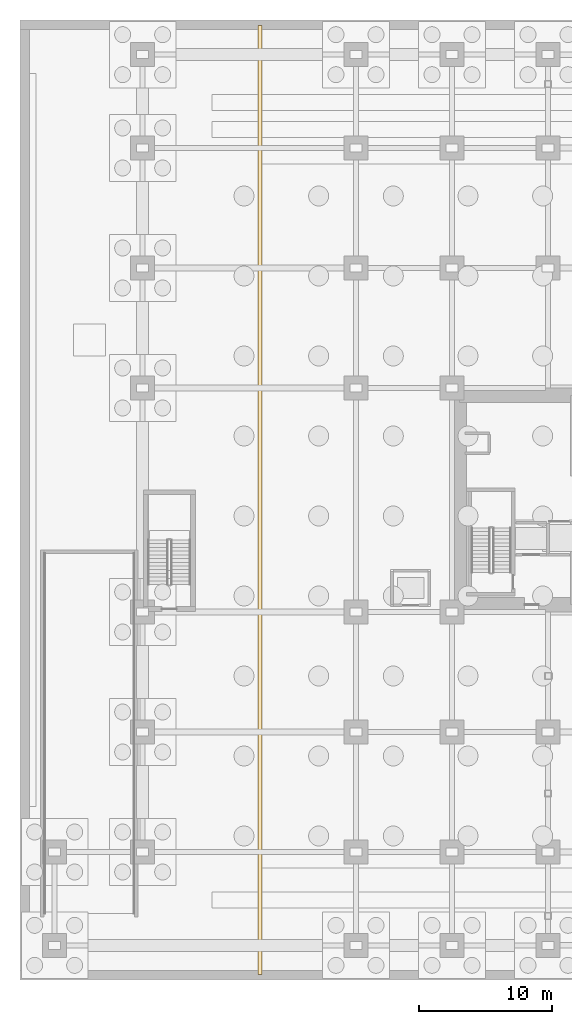
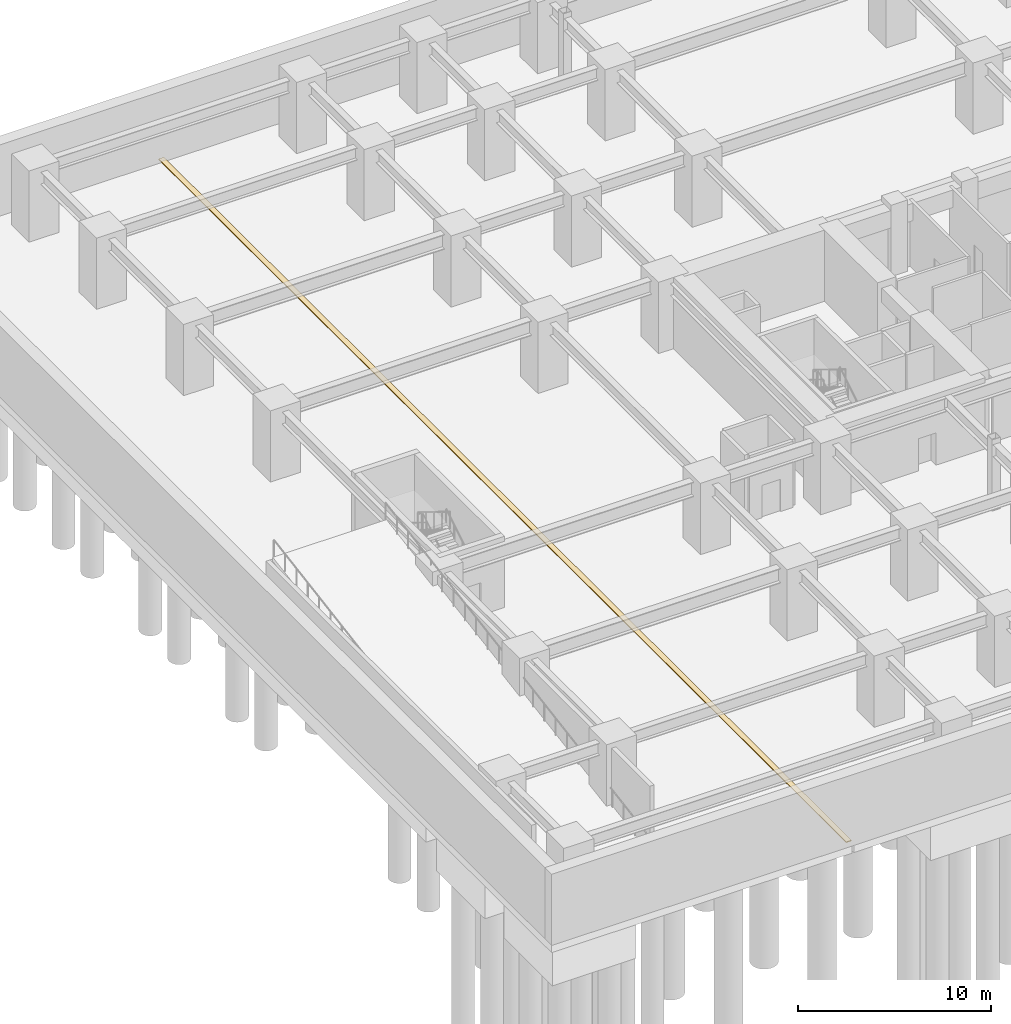
# One storey, part 18 of 23: 1 covering.
"""IFC4 building model written with IfcOpenShell, lengths in metres."""

from ifc_helpers import new_model, si_unit, direction, frame, origin, place, context, subcontext, project, spatial, polyline, outline, extrude, material, layer, layer_set, type_object, element, save


model = new_model("IFC4")

# Units and contexts
model_context = context("Model", 3, precision=1e-05, world=origin(), true_north=direction((0.0, 1.0)))
body_context = subcontext(model_context, "Body", "Model", "MODEL_VIEW")
ifc_project = project(units=[si_unit("LENGTHUNIT", "METRE"), si_unit("AREAUNIT", "SQUARE_METRE"), si_unit("VOLUMEUNIT", "CUBIC_METRE"), si_unit("PLANEANGLEUNIT", "RADIAN"), si_unit("MASSUNIT", "GRAM", prefix="KILO")], contexts=[model_context])

# Site, building, storey
site_placement = place(None, origin())
site = spatial("IfcSite", under=ifc_project, at=site_placement, CompositionType="ELEMENT")
building_placement = place(site_placement, origin())
building = spatial("IfcBuilding", under=site, at=building_placement, Name="Kiyonajd Concourse Tower", CompositionType="ELEMENT")
storey_placement = place(building_placement, frame((0.0, 0.0, -9.0)))
storey = spatial("IfcBuildingStorey", under=building, at=storey_placement, Name="B2", CompositionType="ELEMENT", Elevation=-9.0)

# Covering
ifc_material = material(Name="Riyadh Jubaila Limestone", Category="masonry")
ifc_layer = layer(ifc_material, 0.050048828125)
ifc_layer_set = layer_set([ifc_layer], Name="Riyadh Jubaila Limestone")
covering_type = type_object("IfcCoveringType", Name="CV-FLR-RAISED", PredefinedType="FLOORING", material=ifc_layer_set)
covering_placement = place(storey_placement, origin())
element("IfcCovering", 1, at=covering_placement, inside=storey, type_object=covering_type, Name="B2 Seismic Movement Joint MJ1 Floor Cover Assembly", PredefinedType="FLOORING", context=body_context, shape_type="SweptSolid", body=[
    extrude(outline(polyline([(17.840087890625, 0.39990234375), (18.159912109375, 0.39990234375), (18.159912109375, 71.60009765625), (17.840087890625, 71.60009765625), (17.840087890625, 0.39990234375)])), origin(), (0.0, 0.0, 1.0), 0.050048828125),
])

save(model, "model.ifc")
